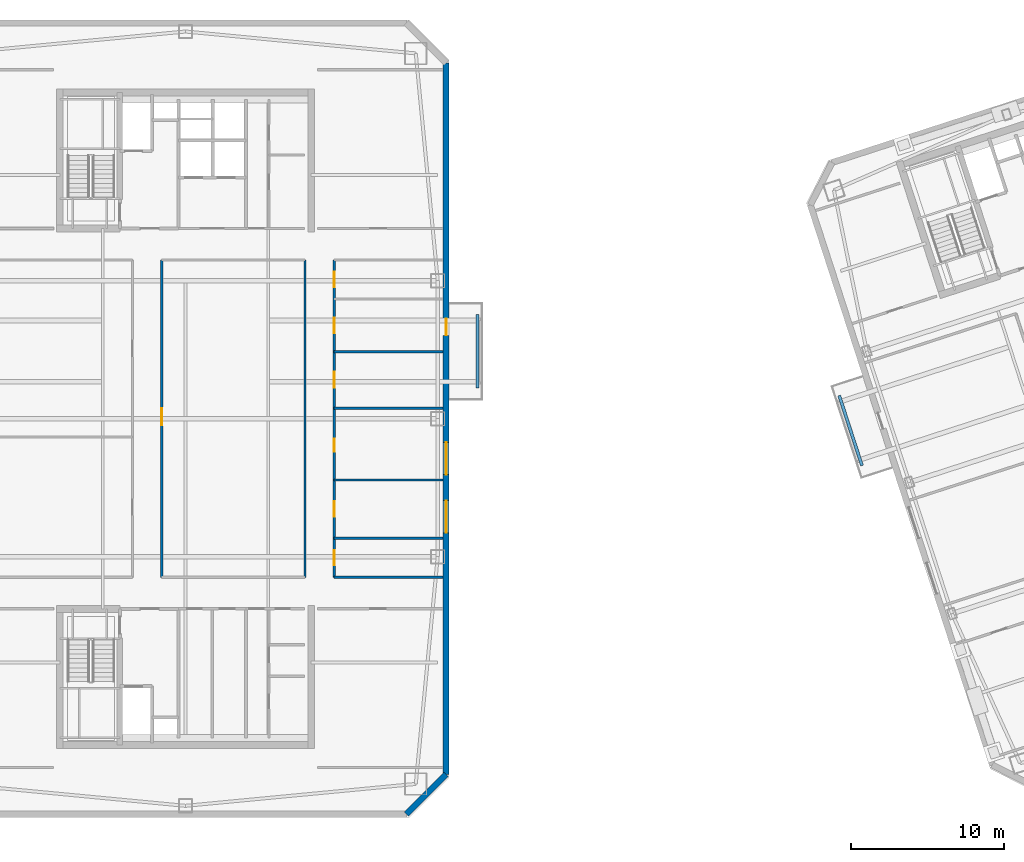
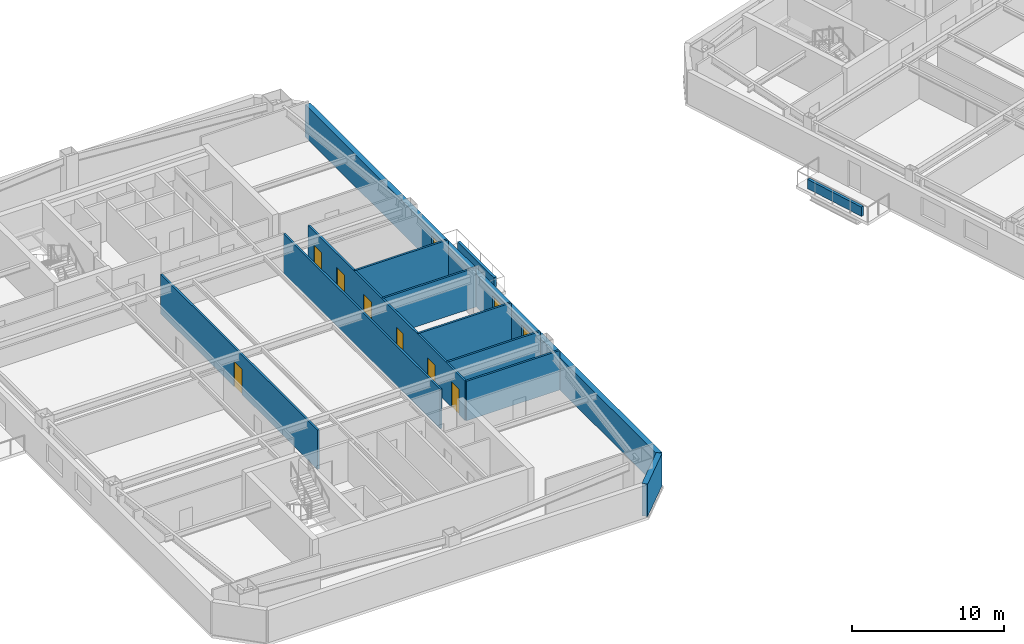
# One storey, part 7 of 16: 12 walls, 8 doors, 2 windows, 10 openings.
"""IFC4 building model written with IfcOpenShell, lengths in metres."""

from ifc_helpers import new_model, si_unit, direction, frame, frame_2d, origin, place, context, subcontext, project, spatial, rectangle, extrude, material, layer, layer_set, type_object, element, fill, save


model = new_model("IFC4")

# Units and contexts
model_context = context("Model", 3, precision=1e-05, world=origin(), true_north=direction((0.0, 1.0)))
body_context = subcontext(model_context, "Body", "Model", "MODEL_VIEW")
ifc_project = project(units=[si_unit("LENGTHUNIT", "METRE"), si_unit("AREAUNIT", "SQUARE_METRE"), si_unit("VOLUMEUNIT", "CUBIC_METRE"), si_unit("PLANEANGLEUNIT", "RADIAN"), si_unit("MASSUNIT", "GRAM", prefix="KILO")], contexts=[model_context])

# Site, building, storey
site_placement = place(None, origin())
site = spatial("IfcSite", under=ifc_project, at=site_placement, CompositionType="ELEMENT")
building_placement = place(site_placement, origin())
building = spatial("IfcBuilding", under=site, at=building_placement, Name="Qiaolan Cultural Towers", CompositionType="ELEMENT")
storey_placement = place(building_placement, frame((0.0, 0.0, 198.949951171875)))
storey = spatial("IfcBuildingStorey", under=building, at=storey_placement, Name="L53", CompositionType="ELEMENT", Elevation=198.949951171875)

# Wall, openings, door, windows
ifc_material_1 = material(Name="Precast Concrete C50 Honed Stone Pier", Category="masonry")
ifc_layer_1 = layer(ifc_material_1, 0.39990234375)
ifc_layer_set_1 = layer_set([ifc_layer_1], Name="Precast Concrete C50 Honed Stone Pier")
wall_type_1 = type_object("IfcWallType", Name="WL-EXT-PIER-400", PredefinedType="SOLIDWALL", material=ifc_layer_set_1)
wall_1_placement = place(storey_placement, frame((47.0, 57.199951171875, 0.0), z_axis=(0.0, 0.0, 1.0), x_axis=(0.0, -1.0, 0.0)))
wall_1 = element("IfcWall", 1, at=wall_1_placement, inside=storey, type_object=wall_type_1, Name="L53 West Tower Precast Pier Facade Wall F5", PredefinedType="SOLIDWALL", context=body_context, shape_type="SweptSolid", body=[
    extrude(rectangle(XDim=46.39990234375, YDim=0.39990234375, at=frame_2d((23.199951171875, 0.0))), origin(), (0.0, 0.0, 1.0), 2.610107421875),
])
opening_1_placement = place(wall_1_placement, frame((28.550048828125, 0.0, 0.75)))
opening_1 = element("IfcOpeningElement", 2, at=opening_1_placement, cuts=wall_1, Name="Opening W-05", PredefinedType="OPENING", context=body_context, shape_type="SweptSolid", body=[
    extrude(rectangle(XDim=2.10009765625, YDim=1.4599609375, at=frame_2d((1.050048828125, 0.72998046875))), frame((0.0, 0.2099609375, 0.0), z_axis=(0.0, -1.0, 0.0), x_axis=(1.0, 0.0, 0.0)), (0.0, 0.0, 1.0), 0.419921875),
])
opening_2_placement = place(wall_1_placement, frame((24.75, 0.0, 0.75)))
opening_2 = element("IfcOpeningElement", 3, at=opening_2_placement, cuts=wall_1, Name="Opening W-05", PredefinedType="OPENING", context=body_context, shape_type="SweptSolid", body=[
    extrude(rectangle(XDim=2.10009765625, YDim=1.4599609375, at=frame_2d((1.050048828125, 0.72998046875))), frame((0.0, 0.2099609375, 0.0), z_axis=(0.0, -1.0, 0.0), x_axis=(1.0, 0.0, 0.0)), (0.0, 0.0, 1.0), 0.419921875),
])
opening_3_placement = place(wall_1_placement, frame((16.66748046875, 0.0, 0.0)))
opening_3 = element("IfcOpeningElement", 4, at=opening_3_placement, cuts=wall_1, Name="Opening BD-01", PredefinedType="OPENING", context=body_context, shape_type="SweptSolid", body=[
    extrude(rectangle(XDim=1.10009765625, YDim=2.14990234375, at=frame_2d((0.550048828125, 1.074951171875))), frame((0.0, 0.2099609375, 0.0), z_axis=(0.0, -1.0, 0.0), x_axis=(1.0, 0.0, 0.0)), (0.0, 0.0, 1.0), 0.419921875),
])
ifc_material_2 = material(Name="Thermally Broken Aluminium Glazed Terrace Door", Category="aluminium")
door_type_1 = type_object("IfcDoorType", Name="DR-BAL-1100", OperationType="NOTDEFINED", PredefinedType="DOOR", material=ifc_material_2)
door_1_placement = place(opening_3_placement, origin())
door_1 = element("IfcDoor", 5, at=door_1_placement, inside=storey, type_object=door_type_1, Name="L53 T1 East Tree Balcony Door", OperationType="SINGLE_SWING_RIGHT", OverallHeight=2.14990234375, OverallWidth=1.10009765625, PredefinedType="DOOR", context=body_context, shape_type="SweptSolid", body=[
    extrude(rectangle(XDim=1.10009765625, YDim=2.14990234375, at=frame_2d((0.550048828125, 1.074951171875))), frame((0.0, 0.02490234375, 0.0), z_axis=(0.0, -1.0, 0.0), x_axis=(1.0, 0.0, 0.0)), (0.0, 0.0, 1.0), 0.050048828125),
])
fill(opening_3, door_1)
ifc_material_3 = material(Name="Thermally Broken Aluminium Triple Low-E Glazing", Category="aluminium")
window_type = type_object("IfcWindowType", Name="WN-CHIC-2100", PartitioningType="SINGLE_PANEL", PredefinedType="WINDOW", material=ifc_material_3)
window_1_placement = place(opening_1_placement, origin())
window_1 = element("IfcWindow", 6, at=window_1_placement, inside=storey, type_object=window_type, Name="L53 T1 E Chicago Bay Window 1", OverallHeight=1.4599609375, OverallWidth=2.10009765625, PartitioningType="TRIPLE_PANEL_VERTICAL", PredefinedType="WINDOW", context=body_context, shape_type="SweptSolid", body=[
    extrude(rectangle(XDim=2.10009765625, YDim=1.4599609375, at=frame_2d((1.050048828125, 0.72998046875))), frame((0.0, 0.030029296875, 0.0), z_axis=(0.0, -1.0, 0.0), x_axis=(1.0, 0.0, 0.0)), (0.0, 0.0, 1.0), 0.06005859375),
])
fill(opening_1, window_1)
window_2_placement = place(opening_2_placement, origin())
window_2 = element("IfcWindow", 7, at=window_2_placement, inside=storey, type_object=window_type, Name="L53 T1 E Chicago Bay Window 2", OverallHeight=1.4599609375, OverallWidth=2.10009765625, PartitioningType="TRIPLE_PANEL_VERTICAL", PredefinedType="WINDOW", context=body_context, shape_type="SweptSolid", body=[
    extrude(rectangle(XDim=2.10009765625, YDim=1.4599609375, at=frame_2d((1.050048828125, 0.72998046875))), frame((0.0, 0.030029296875, 0.0), z_axis=(0.0, -1.0, 0.0), x_axis=(1.0, 0.0, 0.0)), (0.0, 0.0, 1.0), 0.06005859375),
])
fill(opening_2, window_2)

# Walls
wall_2_placement = place(storey_placement, frame((47.0, 10.800048828125, 0.0), z_axis=(0.0, 0.0, 1.0), x_axis=(-0.707106781187, -0.707106781187, 0.0)))
element("IfcWall", 8, at=wall_2_placement, inside=storey, type_object=wall_type_1, Name="L53 West Tower Precast Pier Facade Wall F6", PredefinedType="SOLIDWALL", context=body_context, shape_type="SweptSolid", body=[
    extrude(rectangle(XDim=3.677001953125, YDim=0.39990234375, at=frame_2d((1.83837890625, 0.0))), origin(), (0.0, 0.0, 1.0), 2.610107421875),
])
ifc_material_4 = material(Name="Autoclaved Aerated Concrete Block B06", Category="concrete")
ifc_layer_2 = layer(ifc_material_4, 0.14990234375)
ifc_layer_set_2 = layer_set([ifc_layer_2], Name="Autoclaved Aerated Concrete Block B06")
wall_type_2 = type_object("IfcWallType", Name="WL-PART-150", PredefinedType="PARTITIONING", material=ifc_layer_set_2)
wall_3_placement = place(storey_placement, frame((39.699951171875, 23.64990234375, 0.0), z_axis=(0.0, 0.0, 1.0), x_axis=(1.0, 0.0, 0.0)))
element("IfcWall", 9, at=wall_3_placement, inside=storey, type_object=wall_type_2, Name="L53 T1 Interior Wall", PredefinedType="PARTITIONING", context=body_context, shape_type="SweptSolid", body=[
    extrude(rectangle(XDim=7.10009765625, YDim=0.14990234375, at=frame_2d((3.550048828125, 0.0))), origin(), (0.0, 0.0, 1.0), 3.175048828125),
])

# Wall, opening, door
wall_4_placement = place(storey_placement, frame((28.449951171875, 23.64990234375, 0.0), z_axis=(0.0, 0.0, 1.0), x_axis=(0.0, 1.0, 0.0)))
wall_4 = element("IfcWall", 10, at=wall_4_placement, inside=storey, type_object=wall_type_2, Name="L53 T1 Interior Wall", PredefinedType="PARTITIONING", context=body_context, shape_type="SweptSolid", body=[
    extrude(rectangle(XDim=20.7001953125, YDim=0.14990234375, at=frame_2d((10.35009765625, 0.0))), origin(), (0.0, 0.0, 1.0), 3.175048828125),
])
opening_4_placement = place(wall_4_placement, frame((9.93603515625, 0.0, 0.0)))
opening_4 = element("IfcOpeningElement", 11, at=opening_4_placement, cuts=wall_4, Name="Opening ID-03", PredefinedType="OPENING", context=body_context, shape_type="SweptSolid", body=[
    extrude(rectangle(XDim=1.10009765625, YDim=2.050048828125, at=frame_2d((0.550048828125, 1.02490234375))), frame((0.0, 0.0849609375, 0.0), z_axis=(0.0, -1.0, 0.0), x_axis=(1.0, 0.0, 0.0)), (0.0, 0.0, 1.0), 0.169921875),
])
ifc_material_5 = material(Name="Oak Veneer Solid-Core Boardroom Door", Category="timber")
door_type_2 = type_object("IfcDoorType", Name="DR-INT-1100", OperationType="NOTDEFINED", PredefinedType="DOOR", material=ifc_material_5)
door_2_placement = place(opening_4_placement, origin())
door_2 = element("IfcDoor", 12, at=door_2_placement, inside=storey, type_object=door_type_2, Name="L53 T1 Central Colloquium Hall Door", OperationType="SINGLE_SWING_LEFT", OverallHeight=2.050048828125, OverallWidth=1.10009765625, PredefinedType="DOOR", context=body_context, shape_type="SweptSolid", body=[
    extrude(rectangle(XDim=1.10009765625, YDim=2.050048828125, at=frame_2d((0.550048828125, 1.02490234375))), frame((0.0, 0.02490234375, 0.0), z_axis=(0.0, -1.0, 0.0), x_axis=(1.0, 0.0, 0.0)), (0.0, 0.0, 1.0), 0.050048828125),
])
fill(opening_4, door_2)

# Wall
wall_5_placement = place(storey_placement, frame((37.800048828125, 23.64990234375, 0.0), z_axis=(0.0, 0.0, 1.0), x_axis=(0.0, 1.0, 0.0)))
element("IfcWall", 13, at=wall_5_placement, inside=storey, type_object=wall_type_2, Name="L53 T1 Interior Wall", PredefinedType="PARTITIONING", context=body_context, shape_type="SweptSolid", body=[
    extrude(rectangle(XDim=20.7001953125, YDim=0.14990234375, at=frame_2d((10.35009765625, 0.0))), origin(), (0.0, 0.0, 1.0), 3.175048828125),
])

# Wall, openings, doors
wall_6_placement = place(storey_placement, frame((39.699951171875, 23.64990234375, 0.0), z_axis=(0.0, 0.0, 1.0), x_axis=(0.0, 1.0, 0.0)))
wall_6 = element("IfcWall", 14, at=wall_6_placement, inside=storey, type_object=wall_type_2, Name="L53 T1 Interior Wall", PredefinedType="PARTITIONING", context=body_context, shape_type="SweptSolid", body=[
    extrude(rectangle(XDim=20.7001953125, YDim=0.14990234375, at=frame_2d((10.35009765625, 0.0))), origin(), (0.0, 0.0, 1.0), 3.175048828125),
])
opening_5_placement = place(wall_6_placement, frame((0.77490234375, 0.0, 0.0)))
opening_5 = element("IfcOpeningElement", 15, at=opening_5_placement, cuts=wall_6, Name="Opening ID-04", PredefinedType="OPENING", context=body_context, shape_type="SweptSolid", body=[
    extrude(rectangle(XDim=1.0, YDim=2.050048828125, at=frame_2d((0.5, 1.02490234375))), frame((0.0, 0.0849609375, 0.0), z_axis=(0.0, -1.0, 0.0), x_axis=(1.0, 0.0, 0.0)), (0.0, 0.0, 1.0), 0.169921875),
])
opening_6_placement = place(wall_6_placement, frame((3.949951171875, 0.0, 0.0)))
opening_6 = element("IfcOpeningElement", 16, at=opening_6_placement, cuts=wall_6, Name="Opening ID-04", PredefinedType="OPENING", context=body_context, shape_type="SweptSolid", body=[
    extrude(rectangle(XDim=1.0, YDim=2.050048828125, at=frame_2d((0.5, 1.02490234375))), frame((0.0, 0.0849609375, 0.0), z_axis=(0.0, -1.0, 0.0), x_axis=(1.0, 0.0, 0.0)), (0.0, 0.0, 1.0), 0.169921875),
])
opening_7_placement = place(wall_6_placement, frame((8.18994140625, 0.0, 0.0)))
opening_7 = element("IfcOpeningElement", 17, at=opening_7_placement, cuts=wall_6, Name="Opening ID-09", PredefinedType="OPENING", context=body_context, shape_type="SweptSolid", body=[
    extrude(rectangle(XDim=0.85009765625, YDim=2.050048828125, at=frame_2d((0.425048828125, 1.02490234375))), frame((0.0, 0.0849609375, 0.0), z_axis=(0.0, -1.0, 0.0), x_axis=(1.0, 0.0, 0.0)), (0.0, 0.0, 1.0), 0.169921875),
])
opening_8_placement = place(wall_6_placement, frame((12.37255859375, 0.0, 0.0)))
opening_8 = element("IfcOpeningElement", 18, at=opening_8_placement, cuts=wall_6, Name="Opening ID-07", PredefinedType="OPENING", context=body_context, shape_type="SweptSolid", body=[
    extrude(rectangle(XDim=1.050048828125, YDim=2.050048828125, at=frame_2d((0.52490234375, 1.02490234375))), frame((0.0, 0.0849609375, 0.0), z_axis=(0.0, -1.0, 0.0), x_axis=(1.0, 0.0, 0.0)), (0.0, 0.0, 1.0), 0.169921875),
])
opening_9_placement = place(wall_6_placement, frame((15.9326171875, 0.0, 0.0)))
opening_9 = element("IfcOpeningElement", 19, at=opening_9_placement, cuts=wall_6, Name="Opening ID-04", PredefinedType="OPENING", context=body_context, shape_type="SweptSolid", body=[
    extrude(rectangle(XDim=1.0, YDim=2.050048828125, at=frame_2d((0.5, 1.02490234375))), frame((0.0, 0.0849609375, 0.0), z_axis=(0.0, -1.0, 0.0), x_axis=(1.0, 0.0, 0.0)), (0.0, 0.0, 1.0), 0.169921875),
])
opening_10_placement = place(wall_6_placement, frame((18.925048828125, 0.0, 0.0)))
opening_10 = element("IfcOpeningElement", 20, at=opening_10_placement, cuts=wall_6, Name="Opening ID-04", PredefinedType="OPENING", context=body_context, shape_type="SweptSolid", body=[
    extrude(rectangle(XDim=1.0, YDim=2.050048828125, at=frame_2d((0.5, 1.02490234375))), frame((0.0, 0.0849609375, 0.0), z_axis=(0.0, -1.0, 0.0), x_axis=(1.0, 0.0, 0.0)), (0.0, 0.0, 1.0), 0.169921875),
])
ifc_material_6 = material(Name="Oak Veneer Acoustic Office Door", Category="timber")
door_type_3 = type_object("IfcDoorType", Name="DR-INT-1000", OperationType="NOTDEFINED", PredefinedType="DOOR", material=ifc_material_6)
door_3_placement = place(opening_5_placement, origin())
door_3 = element("IfcDoor", 21, at=door_3_placement, inside=storey, type_object=door_type_3, Name="L53 T1 Cultural Exchange Shop Door", OperationType="SINGLE_SWING_RIGHT", OverallHeight=2.050048828125, OverallWidth=1.0, PredefinedType="DOOR", context=body_context, shape_type="SweptSolid", body=[
    extrude(rectangle(XDim=1.0, YDim=2.050048828125, at=frame_2d((0.5, 1.02490234375))), frame((0.0, 0.02490234375, 0.0), z_axis=(0.0, -1.0, 0.0), x_axis=(1.0, 0.0, 0.0)), (0.0, 0.0, 1.0), 0.050048828125),
])
fill(opening_5, door_3)
door_4_placement = place(opening_6_placement, origin())
door_4 = element("IfcDoor", 22, at=door_4_placement, inside=storey, type_object=door_type_3, Name="L53 T1 Cultural Exchange Shop Door", OperationType="SINGLE_SWING_LEFT", OverallHeight=2.050048828125, OverallWidth=1.0, PredefinedType="DOOR", context=body_context, shape_type="SweptSolid", body=[
    extrude(rectangle(XDim=1.0, YDim=2.050048828125, at=frame_2d((0.5, 1.02490234375))), frame((0.0, 0.02490234375, 0.0), z_axis=(0.0, -1.0, 0.0), x_axis=(1.0, 0.0, 0.0)), (0.0, 0.0, 1.0), 0.050048828125),
])
fill(opening_6, door_4)
door_5_placement = place(opening_9_placement, origin())
door_5 = element("IfcDoor", 23, at=door_5_placement, inside=storey, type_object=door_type_3, Name="L53 T1 Catering Pantry Door", OperationType="SINGLE_SWING_RIGHT", OverallHeight=2.050048828125, OverallWidth=1.0, PredefinedType="DOOR", context=body_context, shape_type="SweptSolid", body=[
    extrude(rectangle(XDim=1.0, YDim=2.050048828125, at=frame_2d((0.5, 1.02490234375))), frame((0.0, 0.02490234375, 0.0), z_axis=(0.0, -1.0, 0.0), x_axis=(1.0, 0.0, 0.0)), (0.0, 0.0, 1.0), 0.050048828125),
])
fill(opening_9, door_5)
door_6_placement = place(opening_10_placement, origin())
door_6 = element("IfcDoor", 24, at=door_6_placement, inside=storey, type_object=door_type_3, Name="L53 T1 Medical Station Door", OperationType="SINGLE_SWING_LEFT", OverallHeight=2.050048828125, OverallWidth=1.0, PredefinedType="DOOR", context=body_context, shape_type="SweptSolid", body=[
    extrude(rectangle(XDim=1.0, YDim=2.050048828125, at=frame_2d((0.5, 1.02490234375))), frame((0.0, 0.02490234375, 0.0), z_axis=(0.0, -1.0, 0.0), x_axis=(1.0, 0.0, 0.0)), (0.0, 0.0, 1.0), 0.050048828125),
])
fill(opening_10, door_6)
ifc_material_7 = material(Name="Oak Veneer Consultation Door", Category="timber")
door_type_4 = type_object("IfcDoorType", Name="DR-INT-1050", OperationType="NOTDEFINED", PredefinedType="DOOR", material=ifc_material_7)
door_7_placement = place(opening_8_placement, origin())
door_7 = element("IfcDoor", 25, at=door_7_placement, inside=storey, type_object=door_type_4, Name="L53 T1 Seminar Room Door", OperationType="SINGLE_SWING_LEFT", OverallHeight=2.050048828125, OverallWidth=1.050048828125, PredefinedType="DOOR", context=body_context, shape_type="SweptSolid", body=[
    extrude(rectangle(XDim=1.050048828125, YDim=2.050048828125, at=frame_2d((0.52490234375, 1.02490234375))), frame((0.0, 0.02490234375, 0.0), z_axis=(0.0, -1.0, 0.0), x_axis=(1.0, 0.0, 0.0)), (0.0, 0.0, 1.0), 0.050048828125),
])
fill(opening_8, door_7)
ifc_material_8 = material(Name="Moisture-Resistant Laminate Utility Door", Category="timber")
door_type_5 = type_object("IfcDoorType", Name="DR-INT-850", OperationType="NOTDEFINED", PredefinedType="DOOR", material=ifc_material_8)
door_8_placement = place(opening_7_placement, origin())
door_8 = element("IfcDoor", 26, at=door_8_placement, inside=storey, type_object=door_type_5, Name="L53 T1 Seminar Room Door", OperationType="SINGLE_SWING_RIGHT", OverallHeight=2.050048828125, OverallWidth=0.85009765625, PredefinedType="DOOR", context=body_context, shape_type="SweptSolid", body=[
    extrude(rectangle(XDim=0.85009765625, YDim=2.050048828125, at=frame_2d((0.425048828125, 1.02490234375))), frame((0.0, 0.02490234375, 0.0), z_axis=(0.0, -1.0, 0.0), x_axis=(1.0, 0.0, 0.0)), (0.0, 0.0, 1.0), 0.050048828125),
])
fill(opening_7, door_8)

# Walls
for number, where, z_axis, x_axis, name in (
    (27, (39.699951171875, 26.199951171875, 0.0), (0.0, 0.0, 1.0), (1.0, 0.0, 0.0), "L53 T1 Interior Wall"),
    (28, (39.699951171875, 30.0, 0.0), (0.0, 0.0, 1.0), (1.0, 0.0, 0.0), "L53 T1 Interior Wall"),
    (29, (39.699951171875, 34.679931640625, 0.0), (0.0, 0.0, 1.0), (1.0, 0.0, 0.0), "L53 T1 Interior Wall"),
    (30, (39.699951171875, 38.364990234375, 0.0), (0.0, 0.0, 1.0), (1.0, 0.0, 0.0), "L53 T1 Interior Wall"),
):
    element("IfcWall", number, at=place(storey_placement, frame(where, z_axis=z_axis, x_axis=x_axis)), inside=storey, type_object=wall_type_2, Name=name, PredefinedType="PARTITIONING", context=body_context, shape_type="SweptSolid", body=[
        extrude(rectangle(XDim=7.10009765625, YDim=0.14990234375, at=frame_2d((3.550048828125, 0.0))), origin(), (0.0, 0.0, 1.0), 3.175048828125),
    ])
ifc_material_9 = material(Name="Precast Concrete C45 Tree Planter Upstand", Category="concrete")
ifc_layer_3 = layer(ifc_material_9, 0.199951171875)
ifc_layer_set_3 = layer_set([ifc_layer_3], Name="Precast Concrete C45 Tree Planter Upstand")
wall_type_3 = type_object("IfcWallType", Name="WL-PLANTER-200", PredefinedType="PARAPET", material=ifc_layer_set_3)
for number, where, z_axis, x_axis, name in (
    (31, (49.050048828125, 36.0, 0.0), (0.0, 0.0, 1.0), (0.0, 1.0, 0.0), "L53 T1 Tree Balcony Soil Planter Box E"),
    (32, (74.117431640625, 30.9423828125, 0.0), (0.0, 0.0, 1.0), (-0.308986014439, 0.951066581729, 0.0), "L53 T2 Tree Balcony Soil Planter Box W"),
):
    element("IfcWall", number, at=place(storey_placement, frame(where, z_axis=z_axis, x_axis=x_axis)), inside=storey, type_object=wall_type_3, Name=name, PredefinedType="PARAPET", context=body_context, shape_type="SweptSolid", body=[
        extrude(rectangle(XDim=4.800048828125, YDim=0.199951171875, at=frame_2d((2.39990234375, 0.0))), origin(), (0.0, 0.0, 1.0), 0.75),
    ])

save(model, "model.ifc")
